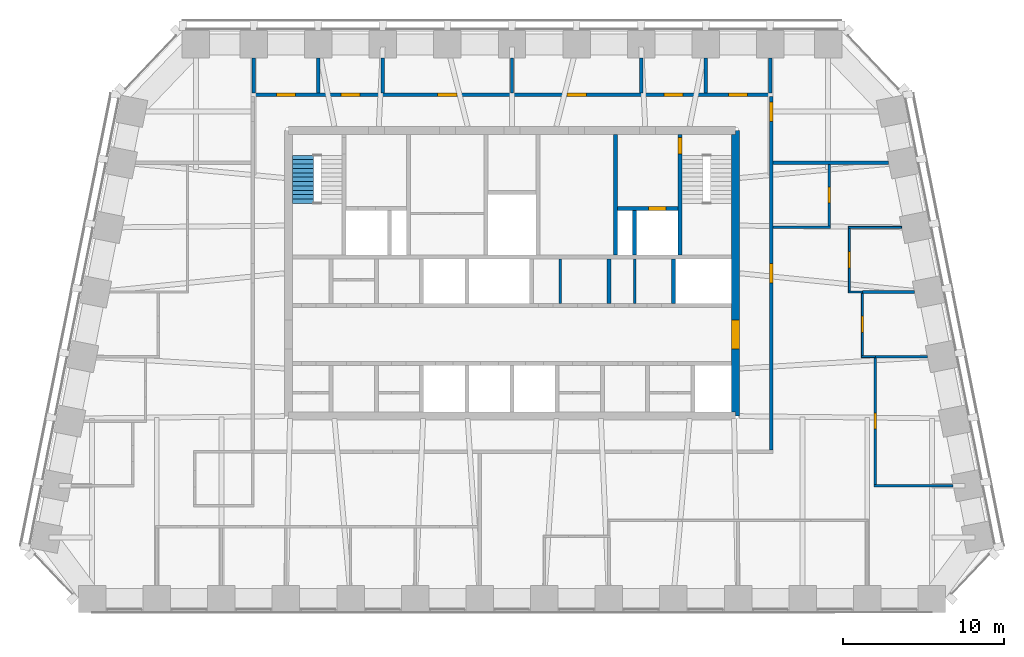
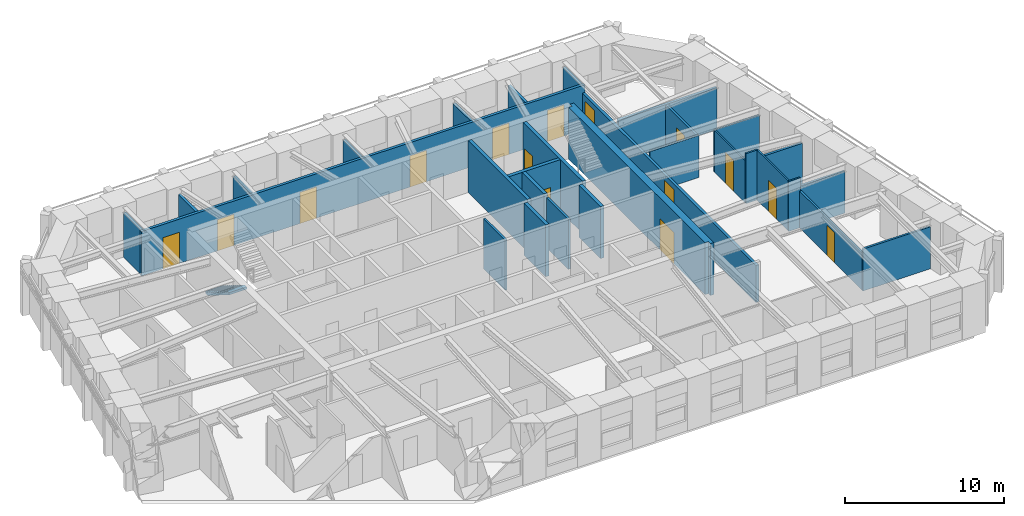
# One storey, part 7 of 11: 30 walls, 15 doors, 1 stair flight, 15 openings, 1 element without a shape of its own.
"""IFC4 building model written with IfcOpenShell, lengths in metres."""

from ifc_helpers import new_model, si_unit, direction, frame, frame_2d, origin, place, context, subcontext, project, spatial, polyline, rectangle, outline, extrude, material, layer, layer_set, type_object, element, fill, aggregate, save


model = new_model("IFC4")

# Units and contexts
model_context = context("Model", 3, precision=1e-05, world=origin(), true_north=direction((0.0, 1.0)))
body_context = subcontext(model_context, "Body", "Model", "MODEL_VIEW")
ifc_project = project(units=[si_unit("LENGTHUNIT", "METRE"), si_unit("AREAUNIT", "SQUARE_METRE"), si_unit("VOLUMEUNIT", "CUBIC_METRE"), si_unit("PLANEANGLEUNIT", "RADIAN"), si_unit("MASSUNIT", "GRAM", prefix="KILO")], contexts=[model_context])

# Site, building, storey
site_placement = place(None, origin())
site = spatial("IfcSite", under=ifc_project, at=site_placement, CompositionType="ELEMENT")
building_placement = place(site_placement, origin())
building = spatial("IfcBuilding", under=site, at=building_placement, Name="Isbrekke Arena Tower", CompositionType="ELEMENT")
storey_placement = place(building_placement, frame((0.0, 0.0, 288.0)))
storey = spatial("IfcBuildingStorey", under=building, at=storey_placement, Name="L67", CompositionType="ELEMENT", Elevation=288.0)

# Wall, opening, door
ifc_material_1 = material(Name="Concrete B55 (C55/67)", Category="concrete")
ifc_layer_1 = layer(ifc_material_1, 0.5)
ifc_layer_set_1 = layer_set([ifc_layer_1], Name="CW5 CORE WALL 500")
wall_type_1 = type_object("IfcWallType", Name="CW5 CORE WALL 500", PredefinedType="SHEAR", material=ifc_layer_set_1)
wall_1_placement = place(storey_placement, frame((13.85009765625, 6.14990234375, 0.0), z_axis=(0.0, 0.0, 1.0), x_axis=(0.0, 1.0, 0.0)))
wall_1 = element("IfcWall", 1, at=wall_1_placement, inside=storey, type_object=wall_type_1, Name="Core wall E L67", PredefinedType="SHEAR", context=body_context, shape_type="SweptSolid", body=[
    extrude(outline(polyline([(0.0, -0.25), (17.7001953125, -0.25), (17.7001953125, 0.0), (17.4501953125, 0.0), (17.4501953125, 0.25), (0.25, 0.25), (0.25, 0.0), (0.0, 0.0), (0.0, -0.25)])), origin(), (0.0, 0.0, 1.0), 4.0),
])
opening_1_placement = place(wall_1_placement, frame((4.14990234375, 0.0, 0.0)))
opening_1 = element("IfcOpeningElement", 2, at=opening_1_placement, cuts=wall_1, Name="Opening D1", PredefinedType="OPENING", context=body_context, shape_type="SweptSolid", body=[
    extrude(rectangle(XDim=1.800048828125, YDim=2.39990234375, at=frame_2d((0.89990234375, 1.199951171875))), frame((0.0, 0.264892578125, 0.0), z_axis=(0.0, -1.0, 0.0), x_axis=(1.0, 0.0, 0.0)), (0.0, 0.0, 1.0), 0.52978515625),
])
ifc_material_2 = material(Name="Steel-framed glazed fire door", Category="steel")
door_type_1 = type_object("IfcDoorType", Name="D1 CORE LOBBY DOOR 1800 x 2400", OperationType="DOUBLE_DOOR_SINGLE_SWING", PredefinedType="DOOR", material=ifc_material_2)
door_1_placement = place(opening_1_placement, origin())
door_1 = element("IfcDoor", 3, at=door_1_placement, inside=storey, type_object=door_type_1, Name="D1 lift lobby door east L67", OperationType="DOUBLE_DOOR_SINGLE_SWING", OverallHeight=2.39990234375, OverallWidth=1.800048828125, PredefinedType="DOOR", context=body_context, shape_type="SweptSolid", body=[
    extrude(rectangle(XDim=1.800048828125, YDim=2.39990234375, at=frame_2d((0.89990234375, 1.199951171875))), frame((0.0, 0.249755859375, 0.0), z_axis=(0.0, -1.0, 0.0), x_axis=(1.0, 0.0, 0.0)), (0.0, 0.0, 1.0), 0.49951171875),
])
fill(opening_1, door_1)

# Walls
ifc_material_3 = material(Name="Concrete B45 (C45/55)", Category="concrete")
ifc_layer_2 = layer(ifc_material_3, 0.25)
ifc_layer_set_2 = layer_set([ifc_layer_2], Name="CW6 SHAFT WALL 250")
wall_type_2 = type_object("IfcWallType", Name="CW6 SHAFT WALL 250", PredefinedType="SHEAR", material=ifc_layer_set_2)
for number, where, z_axis, x_axis, name in (
    (4, (6.0, 13.125, 0.0), (0.0, 0.0, 1.0), (0.0, 1.0, 0.0), "Core wall SN06 L67"),
    (5, (10.0, 13.125, 0.0), (0.0, 0.0, 1.0), (0.0, 1.0, 0.0), "Core wall SN07 L67"),
):
    element("IfcWall", number, at=place(storey_placement, frame(where, z_axis=z_axis, x_axis=x_axis)), inside=storey, type_object=wall_type_2, Name=name, PredefinedType="SHEAR", context=body_context, shape_type="SweptSolid", body=[
        extrude(rectangle(XDim=2.75, YDim=0.25, at=frame_2d((1.375, 0.0))), origin(), (0.0, 0.0, 1.0), 4.0),
    ])
wall_2_placement = place(storey_placement, frame((6.39990234375, 16.125, 0.0), z_axis=(0.0, 0.0, 1.0), x_axis=(0.0, 1.0, 0.0)))
element("IfcWall", 6, at=wall_2_placement, inside=storey, type_object=wall_type_2, Name="Core wall NV05 L67", PredefinedType="SHEAR", context=body_context, shape_type="SweptSolid", body=[
    extrude(rectangle(XDim=7.47509765625, YDim=0.25, at=frame_2d((3.737548828125, 0.0))), origin(), (0.0, 0.0, 1.0), 4.0),
])

# Wall, opening, door
wall_3_placement = place(storey_placement, frame((10.39990234375, 16.125, 0.0), z_axis=(0.0, 0.0, 1.0), x_axis=(0.0, 1.0, 0.0)))
wall_3 = element("IfcWall", 7, at=wall_3_placement, inside=storey, type_object=wall_type_2, Name="Core wall NV06 L67", PredefinedType="SHEAR", context=body_context, shape_type="SweptSolid", body=[
    extrude(rectangle(XDim=7.47509765625, YDim=0.25, at=frame_2d((3.737548828125, 0.0))), origin(), (0.0, 0.0, 1.0), 4.0),
])
opening_2_placement = place(wall_3_placement, frame((6.27490234375, 0.0, 0.0)))
opening_2 = element("IfcOpeningElement", 8, at=opening_2_placement, cuts=wall_3, Name="Opening D2", PredefinedType="OPENING", context=body_context, shape_type="SweptSolid", body=[
    extrude(rectangle(XDim=1.0, YDim=2.10009765625, at=frame_2d((0.5, 1.050048828125))), frame((0.0, 0.139892578125, 0.0), z_axis=(0.0, -1.0, 0.0), x_axis=(1.0, 0.0, 0.0)), (0.0, 0.0, 1.0), 0.27978515625),
])
ifc_material_4 = material(Name="Steel fire door", Category="steel")
door_type_2 = type_object("IfcDoorType", Name="D2 STAIR DOOR 1000 x 2100", OperationType="SINGLE_SWING_LEFT", PredefinedType="DOOR", material=ifc_material_4)
door_2_placement = place(opening_2_placement, origin())
door_2 = element("IfcDoor", 9, at=door_2_placement, inside=storey, type_object=door_type_2, Name="D2 stair door ST2 L67", OperationType="SINGLE_SWING_LEFT", OverallHeight=2.10009765625, OverallWidth=1.0, PredefinedType="DOOR", context=body_context, shape_type="SweptSolid", body=[
    extrude(rectangle(XDim=1.0, YDim=2.10009765625, at=frame_2d((0.5, 1.050048828125))), frame((0.0, 0.124755859375, 0.0), z_axis=(0.0, -1.0, 0.0), x_axis=(1.0, 0.0, 0.0)), (0.0, 0.0, 1.0), 0.24951171875),
])
fill(opening_2, door_2)

wall_4_placement = place(storey_placement, frame((6.52490234375, 19.0, 0.0), z_axis=(0.0, 0.0, 1.0), x_axis=(1.0, 0.0, 0.0)))
wall_4 = element("IfcWall", 10, at=wall_4_placement, inside=storey, type_object=wall_type_2, Name="Core wall NFE L67", PredefinedType="SHEAR", context=body_context, shape_type="SweptSolid", body=[
    extrude(rectangle(XDim=3.75, YDim=0.25, at=frame_2d((1.875, 0.0))), origin(), (0.0, 0.0, 1.0), 4.0),
])
opening_3_placement = place(wall_4_placement, frame((1.925048828125, 0.0, 0.0)))
opening_3 = element("IfcOpeningElement", 11, at=opening_3_placement, cuts=wall_4, Name="Opening LD2", PredefinedType="OPENING", context=body_context, shape_type="SweptSolid", body=[
    extrude(rectangle(XDim=1.10009765625, YDim=2.10009765625, at=frame_2d((0.550048828125, 1.050048828125))), frame((0.0, 0.139892578125, 0.0), z_axis=(0.0, -1.0, 0.0), x_axis=(1.0, 0.0, 0.0)), (0.0, 0.0, 1.0), 0.27978515625),
])
ifc_material_5 = material(Name="Stainless steel lift landing door", Category="steel")
door_type_3 = type_object("IfcDoorType", Name="LD2 FIRE-FIGHTING LIFT LANDING DOOR 1100 x 2100", OperationType="SLIDING_TO_RIGHT", PredefinedType="DOOR", material=ifc_material_5)
door_3_placement = place(opening_3_placement, origin())
door_3 = element("IfcDoor", 12, at=door_3_placement, inside=storey, type_object=door_type_3, Name="LD2 lift landing door LF L67", OperationType="SLIDING_TO_RIGHT", OverallHeight=2.10009765625, OverallWidth=1.10009765625, PredefinedType="DOOR", context=body_context, shape_type="SweptSolid", body=[
    extrude(rectangle(XDim=1.10009765625, YDim=2.10009765625, at=frame_2d((0.550048828125, 1.050048828125))), frame((0.0, 0.124755859375, 0.0), z_axis=(0.0, -1.0, 0.0), x_axis=(1.0, 0.0, 0.0)), (0.0, 0.0, 1.0), 0.24951171875),
])
fill(opening_3, door_3)

# Walls
wall_5_placement = place(storey_placement, frame((7.60009765625, 16.125, 0.0), z_axis=(0.0, 0.0, 1.0), x_axis=(0.0, 1.0, 0.0)))
element("IfcWall", 13, at=wall_5_placement, inside=storey, type_object=wall_type_2, Name="Core wall NFS2 L67", PredefinedType="SHEAR", context=body_context, shape_type="SweptSolid", body=[
    extrude(rectangle(XDim=2.75, YDim=0.25, at=frame_2d((1.375, 0.0))), origin(), (0.0, 0.0, 1.0), 4.0),
])
ifc_material_6 = material(Name="Gypsum board partition on steel studs", Category="steel")
ifc_layer_3 = layer(ifc_material_6, 0.14990234375)
ifc_layer_set_3 = layer_set([ifc_layer_3], Name="IW1 PARTITION 150")
wall_type_3 = type_object("IfcWallType", Name="IW1 PARTITION 150", PredefinedType="PARTITIONING", material=ifc_layer_set_3)
wall_6_placement = place(storey_placement, frame((22.425048828125, 1.840087890625, 0.0), z_axis=(0.0, 0.0, 1.0), x_axis=(1.0, 0.0, 0.0)))
element("IfcWall", 14, at=wall_6_placement, inside=storey, type_object=wall_type_3, Name="IW1 partition 150 L67", PredefinedType="PARTITIONING", context=body_context, shape_type="SweptSolid", body=[
    extrude(rectangle(XDim=4.898681640625, YDim=0.14990234375, at=frame_2d((2.44921875, 0.0))), origin(), (0.0, 0.0, 1.0), 3.22998046875),
])
wall_7_placement = place(storey_placement, frame((22.5, 9.840087890625, 0.0), z_axis=(0.0, 0.0, 1.0), x_axis=(1.0, 0.0, 0.0)))
element("IfcWall", 15, at=wall_7_placement, inside=storey, type_object=wall_type_3, Name="IW1 partition 150 L67", PredefinedType="PARTITIONING", context=body_context, shape_type="SweptSolid", body=[
    extrude(rectangle(XDim=3.223876953125, YDim=0.14990234375, at=frame_2d((1.61181640625, 0.0))), origin(), (0.0, 0.0, 1.0), 3.22998046875),
])
wall_8_placement = place(storey_placement, frame((16.14990234375, 17.840087890625, 0.0), z_axis=(0.0, 0.0, 1.0), x_axis=(1.0, 0.0, 0.0)))
element("IfcWall", 16, at=wall_8_placement, inside=storey, type_object=wall_type_3, Name="IW1 partition 150 L67", PredefinedType="PARTITIONING", context=body_context, shape_type="SweptSolid", body=[
    extrude(rectangle(XDim=3.5751953125, YDim=0.14990234375, at=frame_2d((1.78759765625, 0.0))), origin(), (0.0, 0.0, 1.0), 3.22998046875),
])

# Wall, opening, door
wall_9_placement = place(storey_placement, frame((19.64990234375, 17.9150390625, 0.0), z_axis=(0.0, 0.0, 1.0), x_axis=(0.0, 1.0, 0.0)))
wall_9 = element("IfcWall", 17, at=wall_9_placement, inside=storey, type_object=wall_type_3, Name="IW1 partition 150 L67", PredefinedType="PARTITIONING", context=body_context, shape_type="SweptSolid", body=[
    extrude(rectangle(XDim=3.824951171875, YDim=0.14990234375, at=frame_2d((1.91259765625, 0.0))), origin(), (0.0, 0.0, 1.0), 3.22998046875),
])
opening_4_placement = place(wall_9_placement, frame((1.425048828125, 0.0, 0.0)))
opening_4 = element("IfcOpeningElement", 18, at=opening_4_placement, cuts=wall_9, Name="Opening D10", PredefinedType="OPENING", context=body_context, shape_type="SweptSolid", body=[
    extrude(rectangle(XDim=1.0, YDim=2.300048828125, at=frame_2d((0.5, 1.14990234375))), frame((0.0, 0.08984375, 0.0), z_axis=(0.0, -1.0, 0.0), x_axis=(1.0, 0.0, 0.0)), (0.0, 0.0, 1.0), 0.1796875),
])
ifc_material_7 = material(Name="Timber door", Category="wood")
door_type_4 = type_object("IfcDoorType", Name="D10 OFFICE DOOR 1000 x 2300", OperationType="SINGLE_SWING_LEFT", PredefinedType="DOOR", material=ifc_material_7)
door_4_placement = place(opening_4_placement, origin())
door_4 = element("IfcDoor", 19, at=door_4_placement, inside=storey, type_object=door_type_4, Name="D10 tea point door L67", OperationType="SINGLE_SWING_LEFT", OverallHeight=2.300048828125, OverallWidth=1.0, PredefinedType="DOOR", context=body_context, shape_type="SweptSolid", body=[
    extrude(rectangle(XDim=1.0, YDim=2.300048828125, at=frame_2d((0.5, 1.14990234375))), frame((0.0, 0.07470703125, 0.0), z_axis=(0.0, -1.0, 0.0), x_axis=(1.0, 0.0, 0.0)), (0.0, 0.0, 1.0), 0.1494140625),
])
fill(opening_4, door_4)

wall_10_placement = place(storey_placement, frame((22.5, 1.9150390625, 0.0), z_axis=(0.0, 0.0, 1.0), x_axis=(0.0, 1.0, 0.0)))
wall_10 = element("IfcWall", 20, at=wall_10_placement, inside=storey, type_object=wall_type_3, Name="IW1 partition 150 L67", PredefinedType="PARTITIONING", context=body_context, shape_type="SweptSolid", body=[
    extrude(rectangle(XDim=7.849853515625, YDim=0.14990234375, at=frame_2d((3.9248046875, 0.0))), origin(), (0.0, 0.0, 1.0), 2.842041015625),
])
opening_5_placement = place(wall_10_placement, frame((3.425048828125, 0.0, 0.0)))
opening_5 = element("IfcOpeningElement", 21, at=opening_5_placement, cuts=wall_10, Name="Opening D10", PredefinedType="OPENING", context=body_context, shape_type="SweptSolid", body=[
    extrude(rectangle(XDim=1.0, YDim=2.300048828125, at=frame_2d((0.5, 1.14990234375))), frame((0.0, 0.08984375, 0.0), z_axis=(0.0, -1.0, 0.0), x_axis=(1.0, 0.0, 0.0)), (0.0, 0.0, 1.0), 0.1796875),
])
door_5_placement = place(opening_5_placement, origin())
door_5 = element("IfcDoor", 22, at=door_5_placement, inside=storey, type_object=door_type_4, Name="D10 model workshop door L67", OperationType="SINGLE_SWING_LEFT", OverallHeight=2.300048828125, OverallWidth=1.0, PredefinedType="DOOR", context=body_context, shape_type="SweptSolid", body=[
    extrude(rectangle(XDim=1.0, YDim=2.300048828125, at=frame_2d((0.5, 1.14990234375))), frame((0.0, 0.07470703125, 0.0), z_axis=(0.0, -1.0, 0.0), x_axis=(1.0, 0.0, 0.0)), (0.0, 0.0, 1.0), 0.1494140625),
])
fill(opening_5, door_5)

# Walls
ifc_material_8 = material(Name="Frameless glazed partition, laminated acoustic glass", Category="glass")
ifc_layer_4 = layer(ifc_material_8, 0.1201171875)
ifc_layer_set_4 = layer_set([ifc_layer_4], Name="IW2 GLAZED PARTITION 120")
wall_type_4 = type_object("IfcWallType", Name="IW2 GLAZED PARTITION 120", PredefinedType="PARTITIONING", material=ifc_layer_set_4)
wall_11_placement = place(storey_placement, frame((21.639892578125, 9.840087890625, 0.0), z_axis=(0.0, 0.0, 1.0), x_axis=(1.0, 0.0, 0.0)))
element("IfcWall", 23, at=wall_11_placement, inside=storey, type_object=wall_type_4, Name="IW2 glazed partition 120 L67", PredefinedType="PARTITIONING", context=body_context, shape_type="SweptSolid", body=[
    extrude(rectangle(XDim=0.860107421875, YDim=0.1201171875, at=frame_2d((0.43017578125, 0.0))), origin(), (0.0, 0.0, 1.0), 3.85009765625),
])
wall_12_placement = place(storey_placement, frame((20.840087890625, 13.840087890625, 0.0), z_axis=(0.0, 0.0, 1.0), x_axis=(1.0, 0.0, 0.0)))
element("IfcWall", 24, at=wall_12_placement, inside=storey, type_object=wall_type_4, Name="IW2 glazed partition 120 L67", PredefinedType="PARTITIONING", context=body_context, shape_type="SweptSolid", body=[
    extrude(rectangle(XDim=0.85986328125, YDim=0.1201171875, at=frame_2d((0.429931640625, 0.0))), origin(), (0.0, 0.0, 1.0), 3.85009765625),
])
wall_13_placement = place(storey_placement, frame((20.840087890625, 17.840087890625, 0.0), z_axis=(0.0, 0.0, 1.0), x_axis=(1.0, 0.0, 0.0)))
element("IfcWall", 25, at=wall_13_placement, inside=storey, type_object=wall_type_4, Name="IW2 glazed partition 120 L67", PredefinedType="PARTITIONING", context=body_context, shape_type="SweptSolid", body=[
    extrude(rectangle(XDim=3.28369140625, YDim=0.1201171875, at=frame_2d((1.641845703125, 0.0))), origin(), (0.0, 0.0, 1.0), 3.22998046875),
])

# Wall, opening, door
wall_14_placement = place(storey_placement, frame((20.89990234375, 13.89990234375, 0.0), z_axis=(0.0, 0.0, 1.0), x_axis=(0.0, 1.0, 0.0)))
wall_14 = element("IfcWall", 26, at=wall_14_placement, inside=storey, type_object=wall_type_4, Name="IW2 glazed partition 120 L67", PredefinedType="PARTITIONING", context=body_context, shape_type="SweptSolid", body=[
    extrude(rectangle(XDim=3.880126953125, YDim=0.1201171875, at=frame_2d((1.93994140625, 0.0))), origin(), (0.0, 0.0, 1.0), 3.22998046875),
])
opening_6_placement = place(wall_14_placement, frame((1.43994140625, 0.0, 0.0)))
opening_6 = element("IfcOpeningElement", 27, at=opening_6_placement, cuts=wall_14, Name="Opening D11", PredefinedType="OPENING", context=body_context, shape_type="SweptSolid", body=[
    extrude(rectangle(XDim=1.0, YDim=2.39990234375, at=frame_2d((0.5, 1.199951171875))), frame((0.0, 0.074951171875, 0.0), z_axis=(0.0, -1.0, 0.0), x_axis=(1.0, 0.0, 0.0)), (0.0, 0.0, 1.0), 0.14990234375),
])
ifc_material_9 = material(Name="Frameless glazed door", Category="glass")
door_type_5 = type_object("IfcDoorType", Name="D11 GLAZED MEETING ROOM DOOR 1000 x 2400", OperationType="SINGLE_SWING_RIGHT", PredefinedType="DOOR", material=ifc_material_9)
door_6_placement = place(opening_6_placement, origin())
door_6 = element("IfcDoor", 28, at=door_6_placement, inside=storey, type_object=door_type_5, Name="D11 meeting room door L67", OperationType="SINGLE_SWING_RIGHT", OverallHeight=2.39990234375, OverallWidth=1.0, PredefinedType="DOOR", context=body_context, shape_type="SweptSolid", body=[
    extrude(rectangle(XDim=1.0, YDim=2.39990234375, at=frame_2d((0.5, 1.199951171875))), frame((0.0, 0.059814453125, 0.0), z_axis=(0.0, -1.0, 0.0), x_axis=(1.0, 0.0, 0.0)), (0.0, 0.0, 1.0), 0.11962890625),
])
fill(opening_6, door_6)

wall_15_placement = place(storey_placement, frame((21.699951171875, 9.89990234375, 0.0), z_axis=(0.0, 0.0, 1.0), x_axis=(0.0, 1.0, 0.0)))
wall_15 = element("IfcWall", 29, at=wall_15_placement, inside=storey, type_object=wall_type_4, Name="IW2 glazed partition 120 L67", PredefinedType="PARTITIONING", context=body_context, shape_type="SweptSolid", body=[
    extrude(rectangle(XDim=3.8525390625, YDim=0.1201171875, at=frame_2d((1.92626953125, 0.0))), origin(), (0.0, 0.0, 1.0), 3.85009765625),
])
opening_7_placement = place(wall_15_placement, frame((1.43994140625, 0.0, 0.0)))
opening_7 = element("IfcOpeningElement", 30, at=opening_7_placement, cuts=wall_15, Name="Opening D11", PredefinedType="OPENING", context=body_context, shape_type="SweptSolid", body=[
    extrude(rectangle(XDim=1.0, YDim=2.39990234375, at=frame_2d((0.5, 1.199951171875))), frame((0.0, 0.074951171875, 0.0), z_axis=(0.0, -1.0, 0.0), x_axis=(1.0, 0.0, 0.0)), (0.0, 0.0, 1.0), 0.14990234375),
])
door_7_placement = place(opening_7_placement, origin())
door_7 = element("IfcDoor", 31, at=door_7_placement, inside=storey, type_object=door_type_5, Name="D11 meeting room door L67", OperationType="SINGLE_SWING_RIGHT", OverallHeight=2.39990234375, OverallWidth=1.0, PredefinedType="DOOR", context=body_context, shape_type="SweptSolid", body=[
    extrude(rectangle(XDim=1.0, YDim=2.39990234375, at=frame_2d((0.5, 1.199951171875))), frame((0.0, 0.059814453125, 0.0), z_axis=(0.0, -1.0, 0.0), x_axis=(1.0, 0.0, 0.0)), (0.0, 0.0, 1.0), 0.11962890625),
])
fill(opening_7, door_7)

# Wall
ifc_material_10 = material(Name="Gypsum board fire-cell wall on steel studs, two layers each side", Category="steel")
ifc_layer_5 = layer(ifc_material_10, 0.199951171875)
ifc_layer_set_5 = layer_set([ifc_layer_5], Name="IW3 FIRE-CELL WALL 200")
wall_type_5 = type_object("IfcWallType", Name="IW3 FIRE-CELL WALL 200", PredefinedType="PARTITIONING", material=ifc_layer_set_5)
wall_16_placement = place(storey_placement, frame((16.14990234375, 21.840087890625, 0.0), z_axis=(0.0, 0.0, 1.0), x_axis=(1.0, 0.0, 0.0)))
element("IfcWall", 32, at=wall_16_placement, inside=storey, type_object=wall_type_5, Name="IW3 fire-cell wall 200 L67", PredefinedType="PARTITIONING", context=body_context, shape_type="SweptSolid", body=[
    extrude(rectangle(XDim=7.173828125, YDim=0.199951171875, at=frame_2d((3.5869140625, 0.0))), origin(), (0.0, 0.0, 1.0), 3.22998046875),
])

# Wall, openings, doors
wall_17_placement = place(storey_placement, frame((-16.14990234375, 26.050048828125, 0.0), z_axis=(0.0, 0.0, 1.0), x_axis=(1.0, 0.0, 0.0)))
wall_17 = element("IfcWall", 33, at=wall_17_placement, inside=storey, type_object=wall_type_5, Name="IW3 fire-cell wall 200 L67", PredefinedType="PARTITIONING", context=body_context, shape_type="SweptSolid", body=[
    extrude(rectangle(XDim=32.2998046875, YDim=0.199951171875, at=frame_2d((16.14990234375, 0.0))), origin(), (0.0, 0.0, 1.0), 3.41796875),
])
opening_8_placement = place(wall_17_placement, frame((1.550048828125, 0.0, 0.0)))
opening_8 = element("IfcOpeningElement", 34, at=opening_8_placement, cuts=wall_17, Name="Opening D12", PredefinedType="OPENING", context=body_context, shape_type="SweptSolid", body=[
    extrude(rectangle(XDim=1.199951171875, YDim=2.39990234375, at=frame_2d((0.60009765625, 1.199951171875))), frame((0.0, 0.11474609375, 0.0), z_axis=(0.0, -1.0, 0.0), x_axis=(1.0, 0.0, 0.0)), (0.0, 0.0, 1.0), 0.229736328125),
])
opening_9_placement = place(wall_17_placement, frame((5.550048828125, 0.0, 0.0)))
opening_9 = element("IfcOpeningElement", 35, at=opening_9_placement, cuts=wall_17, Name="Opening D12", PredefinedType="OPENING", context=body_context, shape_type="SweptSolid", body=[
    extrude(rectangle(XDim=1.199951171875, YDim=2.39990234375, at=frame_2d((0.60009765625, 1.199951171875))), frame((0.0, 0.11474609375, 0.0), z_axis=(0.0, -1.0, 0.0), x_axis=(1.0, 0.0, 0.0)), (0.0, 0.0, 1.0), 0.229736328125),
])
opening_10_placement = place(wall_17_placement, frame((11.550048828125, 0.0, 0.0)))
opening_10 = element("IfcOpeningElement", 36, at=opening_10_placement, cuts=wall_17, Name="Opening D12", PredefinedType="OPENING", context=body_context, shape_type="SweptSolid", body=[
    extrude(rectangle(XDim=1.199951171875, YDim=2.39990234375, at=frame_2d((0.60009765625, 1.199951171875))), frame((0.0, 0.11474609375, 0.0), z_axis=(0.0, -1.0, 0.0), x_axis=(1.0, 0.0, 0.0)), (0.0, 0.0, 1.0), 0.229736328125),
])
opening_11_placement = place(wall_17_placement, frame((19.550048828125, 0.0, 0.0)))
opening_11 = element("IfcOpeningElement", 37, at=opening_11_placement, cuts=wall_17, Name="Opening D12", PredefinedType="OPENING", context=body_context, shape_type="SweptSolid", body=[
    extrude(rectangle(XDim=1.199951171875, YDim=2.39990234375, at=frame_2d((0.60009765625, 1.199951171875))), frame((0.0, 0.11474609375, 0.0), z_axis=(0.0, -1.0, 0.0), x_axis=(1.0, 0.0, 0.0)), (0.0, 0.0, 1.0), 0.229736328125),
])
opening_12_placement = place(wall_17_placement, frame((25.550048828125, 0.0, 0.0)))
opening_12 = element("IfcOpeningElement", 38, at=opening_12_placement, cuts=wall_17, Name="Opening D12", PredefinedType="OPENING", context=body_context, shape_type="SweptSolid", body=[
    extrude(rectangle(XDim=1.199951171875, YDim=2.39990234375, at=frame_2d((0.60009765625, 1.199951171875))), frame((0.0, 0.11474609375, 0.0), z_axis=(0.0, -1.0, 0.0), x_axis=(1.0, 0.0, 0.0)), (0.0, 0.0, 1.0), 0.229736328125),
])
opening_13_placement = place(wall_17_placement, frame((29.550048828125, 0.0, 0.0)))
opening_13 = element("IfcOpeningElement", 39, at=opening_13_placement, cuts=wall_17, Name="Opening D12", PredefinedType="OPENING", context=body_context, shape_type="SweptSolid", body=[
    extrude(rectangle(XDim=1.199951171875, YDim=2.39990234375, at=frame_2d((0.60009765625, 1.199951171875))), frame((0.0, 0.11474609375, 0.0), z_axis=(0.0, -1.0, 0.0), x_axis=(1.0, 0.0, 0.0)), (0.0, 0.0, 1.0), 0.229736328125),
])
ifc_material_11 = material(Name="Timber fire door with vision panel", Category="wood")
door_type_6 = type_object("IfcDoorType", Name="D12 SUITE ENTRANCE DOOR 1200 x 2400", OperationType="SINGLE_SWING_LEFT", PredefinedType="DOOR", material=ifc_material_11)
door_8_placement = place(opening_8_placement, origin())
door_8 = element("IfcDoor", 40, at=door_8_placement, inside=storey, type_object=door_type_6, Name="D12 suite entrance NB1 door L67", OperationType="SINGLE_SWING_LEFT", OverallHeight=2.39990234375, OverallWidth=1.199951171875, PredefinedType="DOOR", context=body_context, shape_type="SweptSolid", body=[
    extrude(rectangle(XDim=1.199951171875, YDim=2.39990234375, at=frame_2d((0.60009765625, 1.199951171875))), frame((0.0, 0.099609375, 0.0), z_axis=(0.0, -1.0, 0.0), x_axis=(1.0, 0.0, 0.0)), (0.0, 0.0, 1.0), 0.199462890625),
])
fill(opening_8, door_8)
door_9_placement = place(opening_9_placement, origin())
door_9 = element("IfcDoor", 41, at=door_9_placement, inside=storey, type_object=door_type_6, Name="D12 suite entrance NB2 door L67", OperationType="SINGLE_SWING_LEFT", OverallHeight=2.39990234375, OverallWidth=1.199951171875, PredefinedType="DOOR", context=body_context, shape_type="SweptSolid", body=[
    extrude(rectangle(XDim=1.199951171875, YDim=2.39990234375, at=frame_2d((0.60009765625, 1.199951171875))), frame((0.0, 0.099609375, 0.0), z_axis=(0.0, -1.0, 0.0), x_axis=(1.0, 0.0, 0.0)), (0.0, 0.0, 1.0), 0.199462890625),
])
fill(opening_9, door_9)
door_10_placement = place(opening_10_placement, origin())
door_10 = element("IfcDoor", 42, at=door_10_placement, inside=storey, type_object=door_type_6, Name="D12 suite entrance NB3 door L67", OperationType="SINGLE_SWING_LEFT", OverallHeight=2.39990234375, OverallWidth=1.199951171875, PredefinedType="DOOR", context=body_context, shape_type="SweptSolid", body=[
    extrude(rectangle(XDim=1.199951171875, YDim=2.39990234375, at=frame_2d((0.60009765625, 1.199951171875))), frame((0.0, 0.099609375, 0.0), z_axis=(0.0, -1.0, 0.0), x_axis=(1.0, 0.0, 0.0)), (0.0, 0.0, 1.0), 0.199462890625),
])
fill(opening_10, door_10)
door_11_placement = place(opening_11_placement, origin())
door_11 = element("IfcDoor", 43, at=door_11_placement, inside=storey, type_object=door_type_6, Name="D12 suite entrance NB4 door L67", OperationType="SINGLE_SWING_LEFT", OverallHeight=2.39990234375, OverallWidth=1.199951171875, PredefinedType="DOOR", context=body_context, shape_type="SweptSolid", body=[
    extrude(rectangle(XDim=1.199951171875, YDim=2.39990234375, at=frame_2d((0.60009765625, 1.199951171875))), frame((0.0, 0.099609375, 0.0), z_axis=(0.0, -1.0, 0.0), x_axis=(1.0, 0.0, 0.0)), (0.0, 0.0, 1.0), 0.199462890625),
])
fill(opening_11, door_11)
door_12_placement = place(opening_12_placement, origin())
door_12 = element("IfcDoor", 44, at=door_12_placement, inside=storey, type_object=door_type_6, Name="D12 suite entrance NB5 door L67", OperationType="SINGLE_SWING_LEFT", OverallHeight=2.39990234375, OverallWidth=1.199951171875, PredefinedType="DOOR", context=body_context, shape_type="SweptSolid", body=[
    extrude(rectangle(XDim=1.199951171875, YDim=2.39990234375, at=frame_2d((0.60009765625, 1.199951171875))), frame((0.0, 0.099609375, 0.0), z_axis=(0.0, -1.0, 0.0), x_axis=(1.0, 0.0, 0.0)), (0.0, 0.0, 1.0), 0.199462890625),
])
fill(opening_12, door_12)
door_13_placement = place(opening_13_placement, origin())
door_13 = element("IfcDoor", 45, at=door_13_placement, inside=storey, type_object=door_type_6, Name="D12 suite entrance NB6 door L67", OperationType="SINGLE_SWING_LEFT", OverallHeight=2.39990234375, OverallWidth=1.199951171875, PredefinedType="DOOR", context=body_context, shape_type="SweptSolid", body=[
    extrude(rectangle(XDim=1.199951171875, YDim=2.39990234375, at=frame_2d((0.60009765625, 1.199951171875))), frame((0.0, 0.099609375, 0.0), z_axis=(0.0, -1.0, 0.0), x_axis=(1.0, 0.0, 0.0)), (0.0, 0.0, 1.0), 0.199462890625),
])
fill(opening_13, door_13)

# Walls
for number, where, z_axis, x_axis, name in (
    (46, (-16.0, 26.14990234375, 0.0), (0.0, 0.0, 1.0), (0.0, 1.0, 0.0), "IW3 fire-cell wall 200 L67"),
    (47, (-12.0, 26.14990234375, 0.0), (0.0, 0.0, 1.0), (0.0, 1.0, 0.0), "IW3 fire-cell wall 200 L67"),
    (48, (-8.0, 26.14990234375, 0.0), (0.0, 0.0, 1.0), (0.0, 1.0, 0.0), "IW3 fire-cell wall 200 L67"),
    (49, (0.0, 26.14990234375, 0.0), (0.0, 0.0, 1.0), (0.0, 1.0, 0.0), "IW3 fire-cell wall 200 L67"),
    (50, (8.0, 26.14990234375, 0.0), (0.0, 0.0, 1.0), (0.0, 1.0, 0.0), "IW3 fire-cell wall 200 L67"),
    (51, (12.0, 26.14990234375, 0.0), (0.0, 0.0, 1.0), (0.0, 1.0, 0.0), "IW3 fire-cell wall 200 L67"),
    (52, (16.0, 26.14990234375, 0.0), (0.0, 0.0, 1.0), (0.0, 1.0, 0.0), "IW3 fire-cell wall 200 L67"),
):
    element("IfcWall", number, at=place(storey_placement, frame(where, z_axis=z_axis, x_axis=x_axis)), inside=storey, type_object=wall_type_5, Name=name, PredefinedType="PARTITIONING", context=body_context, shape_type="SweptSolid", body=[
        extrude(rectangle(XDim=2.175048828125, YDim=0.199951171875, at=frame_2d((1.08740234375, 0.0))), origin(), (0.0, 0.0, 1.0), 3.41796875),
    ])

# Wall, openings, doors
wall_18_placement = place(storey_placement, frame((16.050048828125, 4.050048828125, 0.0), z_axis=(0.0, 0.0, 1.0), x_axis=(0.0, 1.0, 0.0)))
wall_18 = element("IfcWall", 53, at=wall_18_placement, inside=storey, type_object=wall_type_5, Name="IW3 fire-cell wall 200 L67", PredefinedType="PARTITIONING", context=body_context, shape_type="SweptSolid", body=[
    extrude(rectangle(XDim=21.89990234375, YDim=0.199951171875, at=frame_2d((10.949951171875, 0.0))), origin(), (0.0, 0.0, 1.0), 2.842041015625),
])
opening_14_placement = place(wall_18_placement, frame((20.35009765625, 0.0, 0.0)))
opening_14 = element("IfcOpeningElement", 54, at=opening_14_placement, cuts=wall_18, Name="Opening D12", PredefinedType="OPENING", context=body_context, shape_type="SweptSolid", body=[
    extrude(rectangle(XDim=1.199951171875, YDim=2.39990234375, at=frame_2d((0.60009765625, 1.199951171875))), frame((0.0, 0.11474609375, 0.0), z_axis=(0.0, -1.0, 0.0), x_axis=(1.0, 0.0, 0.0)), (0.0, 0.0, 1.0), 0.229736328125),
])
opening_15_placement = place(wall_18_placement, frame((10.35009765625, 0.0, 0.0)))
opening_15 = element("IfcOpeningElement", 55, at=opening_15_placement, cuts=wall_18, Name="Opening D12", PredefinedType="OPENING", context=body_context, shape_type="SweptSolid", body=[
    extrude(rectangle(XDim=1.199951171875, YDim=2.39990234375, at=frame_2d((0.60009765625, 1.199951171875))), frame((0.0, 0.11474609375, 0.0), z_axis=(0.0, -1.0, 0.0), x_axis=(1.0, 0.0, 0.0)), (0.0, 0.0, 1.0), 0.229736328125),
])
door_14_placement = place(opening_14_placement, origin())
door_14 = element("IfcDoor", 56, at=door_14_placement, inside=storey, type_object=door_type_6, Name="D12 suite entrance NCE door L67", OperationType="SINGLE_SWING_LEFT", OverallHeight=2.39990234375, OverallWidth=1.199951171875, PredefinedType="DOOR", context=body_context, shape_type="SweptSolid", body=[
    extrude(rectangle(XDim=1.199951171875, YDim=2.39990234375, at=frame_2d((0.60009765625, 1.199951171875))), frame((0.0, 0.099609375, 0.0), z_axis=(0.0, -1.0, 0.0), x_axis=(1.0, 0.0, 0.0)), (0.0, 0.0, 1.0), 0.199462890625),
])
fill(opening_14, door_14)
door_15_placement = place(opening_15_placement, origin())
door_15 = element("IfcDoor", 57, at=door_15_placement, inside=storey, type_object=door_type_6, Name="D12 suite entrance E door L67", OperationType="SINGLE_SWING_LEFT", OverallHeight=2.39990234375, OverallWidth=1.199951171875, PredefinedType="DOOR", context=body_context, shape_type="SweptSolid", body=[
    extrude(rectangle(XDim=1.199951171875, YDim=2.39990234375, at=frame_2d((0.60009765625, 1.199951171875))), frame((0.0, 0.099609375, 0.0), z_axis=(0.0, -1.0, 0.0), x_axis=(1.0, 0.0, 0.0)), (0.0, 0.0, 1.0), 0.199462890625),
])
fill(opening_15, door_15)

# Walls
ifc_material_12 = material(Name="Gypsum board acoustic partition on twin steel studs", Category="steel")
ifc_layer_6 = layer(ifc_material_12, 0.175048828125)
ifc_layer_set_6 = layer_set([ifc_layer_6], Name="IW4 ACOUSTIC PARTITION 175")
wall_type_6 = type_object("IfcWallType", Name="IW4 ACOUSTIC PARTITION 175", PredefinedType="PARTITIONING", material=ifc_layer_set_6)
wall_19_placement = place(storey_placement, frame((21.699951171875, 13.840087890625, 0.0), z_axis=(0.0, 0.0, 1.0), x_axis=(1.0, 0.0, 0.0)))
element("IfcWall", 58, at=wall_19_placement, inside=storey, type_object=wall_type_6, Name="IW4 acoustic partition 175 L67", PredefinedType="PARTITIONING", context=body_context, shape_type="SweptSolid", body=[
    extrude(rectangle(XDim=3.223876953125, YDim=0.175048828125, at=frame_2d((1.61181640625, 0.0))), origin(), (0.0, 0.0, 1.0), 3.22998046875),
])
ifc_material_13 = material(Name="Gypsum board fire-rated partition on steel studs, two layers each side", Category="steel")
ifc_layer_7 = layer(ifc_material_13, 0.14990234375)
ifc_layer_set_7 = layer_set([ifc_layer_7], Name="IW5 FIRE-RATED PARTITION 150")
wall_type_7 = type_object("IfcWallType", Name="IW5 FIRE-RATED PARTITION 150", PredefinedType="PARTITIONING", material=ifc_layer_set_7)
for number, where, z_axis, x_axis, name in (
    (59, (3.0, 13.125, 0.0), (0.0, 0.0, 1.0), (0.0, 1.0, 0.0), "IW5 fire-rated partition L67 core service rooms 1"),
    (60, (7.60009765625, 13.125, 0.0), (0.0, 0.0, 1.0), (0.0, 1.0, 0.0), "IW5 fire-rated partition L67 core service rooms 2"),
):
    element("IfcWall", number, at=place(storey_placement, frame(where, z_axis=z_axis, x_axis=x_axis)), inside=storey, type_object=wall_type_7, Name=name, PredefinedType="PARTITIONING", context=body_context, shape_type="SweptSolid", body=[
        extrude(rectangle(XDim=2.75, YDim=0.14990234375, at=frame_2d((1.375, 0.0))), origin(), (0.0, 0.0, 1.0), 3.85009765625),
    ])

# Stair, stair flight
ifc_material_14 = material(Name="Concrete B45 (C45/55) precast", Category="concrete")
stair_type = type_object("IfcStairType", Name="ST40 STAIR 1300 WIDE, 24 RISERS 167", PredefinedType="HALF_TURN_STAIR", material=ifc_material_14)
stair_placement = place(storey_placement, origin())
stair = element("IfcStair", 61, at=stair_placement, inside=storey, type_object=stair_type, Name="ST1 stair L67", PredefinedType="HALF_TURN_STAIR")
ifc_material_15 = material(Name="Concrete B45 (C45/55) precast", Category="concrete")
stair_flight_type = type_object("IfcStairFlightType", Name="SF 1300 FLIGHT", PredefinedType="STRAIGHT", material=ifc_material_15)
stair_flight_placement = place(storey_placement, frame((-12.949951171875, 22.300048828125, 0.0), z_axis=(0.0, 0.0, 1.0), x_axis=(0.0, -1.0, 0.0)))
stair_flight = element("IfcStairFlight", 62, at=stair_flight_placement, type_object=stair_flight_type, Name="ST1 flight 1", NumberOfRisers=12, NumberOfTreads=11, PredefinedType="STRAIGHT", RiserHeight=0.166666667, TreadLength=0.27, context=body_context, shape_type="SweptSolid", body=[
    extrude(outline(polyline([(0.0, 0.0), (0.0, 0.166748046875), (0.27001953125, 0.166748046875), (0.27001953125, 0.333251953125), (0.5400390625, 0.333251953125), (0.5400390625, 0.5), (0.81005859375, 0.5), (0.81005859375, 0.666748046875), (1.080078125, 0.666748046875), (1.080078125, 0.833251953125), (1.35009765625, 0.833251953125), (1.35009765625, 1.0), (1.6201171875, 1.0), (1.6201171875, 1.166748046875), (1.889892578125, 1.166748046875), (1.889892578125, 1.333251953125), (2.159912109375, 1.333251953125), (2.159912109375, 1.5), (2.429931640625, 1.5), (2.429931640625, 1.666748046875), (2.699951171875, 1.666748046875), (2.699951171875, 1.833251953125), (2.969970703125, 1.833251953125), (2.969970703125, 2.0), (2.969970703125, 1.6572265625), (0.285400390625, 0.0), (0.0, 0.0)])), frame((0.0, 0.64990234375, 0.0), z_axis=(0.0, -1.0, 0.0), x_axis=(1.0, 0.0, 0.0)), (0.0, 0.0, 1.0), 1.300048828125),
])
aggregate(stair, [stair_flight])

save(model, "model.ifc")
